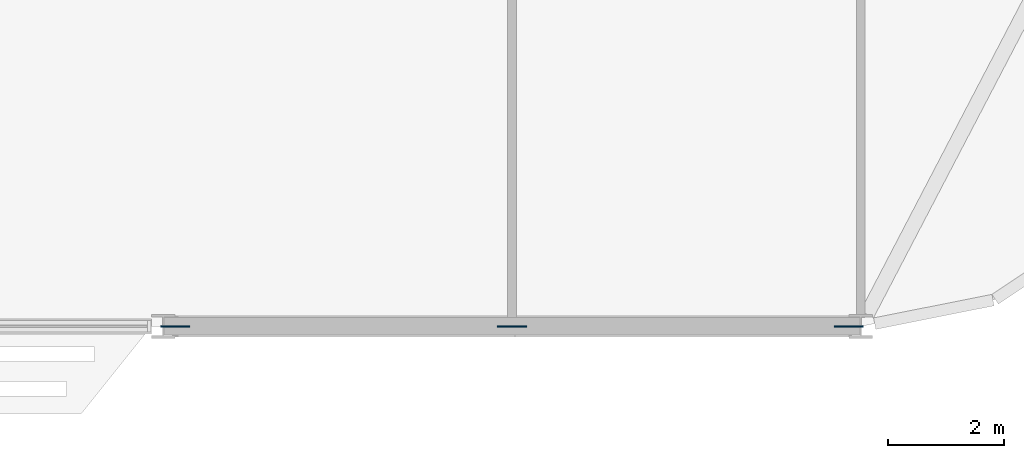
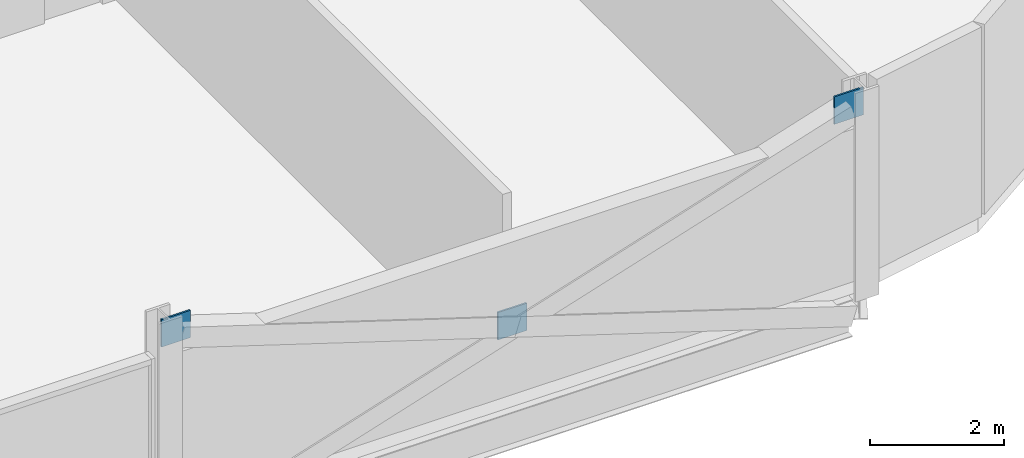
# One storey, part 20 of 27: 3 discrete accessories.
"""IFC4 building model written with IfcOpenShell, lengths in metres."""

from ifc_helpers import new_model, si_unit, direction, frame, origin, origin_2d, place, context, subcontext, project, spatial, rectangle, extrude, material, layer, layer_set, type_object, element, save


model = new_model("IFC4")

# Units and contexts
model_context = context("Model", 3, precision=1e-05, world=origin(), true_north=direction((0.0, 1.0)))
body_context = subcontext(model_context, "Body", "Model", "MODEL_VIEW")
ifc_project = project(units=[si_unit("LENGTHUNIT", "METRE"), si_unit("AREAUNIT", "SQUARE_METRE"), si_unit("VOLUMEUNIT", "CUBIC_METRE"), si_unit("PLANEANGLEUNIT", "RADIAN"), si_unit("MASSUNIT", "GRAM", prefix="KILO")], contexts=[model_context])

# Site, building, storey
site_placement = place(None, origin())
site = spatial("IfcSite", under=ifc_project, at=site_placement, CompositionType="ELEMENT")
building_placement = place(site_placement, origin())
building = spatial("IfcBuilding", under=site, at=building_placement, Name="Mahtab Terrace Research Tower", CompositionType="ELEMENT")
storey_placement = place(building_placement, frame((0.0, 0.0, 182.0)))
storey = spatial("IfcBuildingStorey", under=building, at=storey_placement, Name="L43", CompositionType="ELEMENT", Elevation=182.0)

# Discrete accessories
ifc_material = material(Name="Steel ASTM A992 Gr 50", Category="steel")
ifc_layer = layer(ifc_material, 0.030029296875)
ifc_layer_set = layer_set([ifc_layer], Name="Gusset plate 500x500x30")
discrete_accessory_type = type_object("IfcDiscreteAccessoryType", Name="Gusset plate 500x500x30", PredefinedType="USERDEFINED", material=ifc_layer_set)
for number, where, z_axis, x_axis, name in (
    (1, (30.203125, -23.0, 2.870361328125), (0.0, 0.0, 1.0), (1.0, 0.0, 0.0), "Gusset plate"),
    (2, (36.0, -23.0, 0.970947265625), (0.0, 0.0, 1.0), (1.0, 0.0, 0.0), "Gusset plate"),
    (3, (41.796875, -23.0, 2.870361328125), (0.0, 0.0, 1.0), (1.0, 0.0, 0.0), "Gusset plate"),
):
    element("IfcDiscreteAccessory", number, at=place(storey_placement, frame(where, z_axis=z_axis, x_axis=x_axis)), inside=storey, type_object=discrete_accessory_type, Name=name, ObjectType="GUSSET PLATE", PredefinedType="USERDEFINED", context=body_context, shape_type="SweptSolid", body=[
        extrude(rectangle(XDim=0.5, YDim=0.030029296875, at=origin_2d()), origin(), (0.0, 0.0, 1.0), 0.5),
    ])

save(model, "model.ifc")
